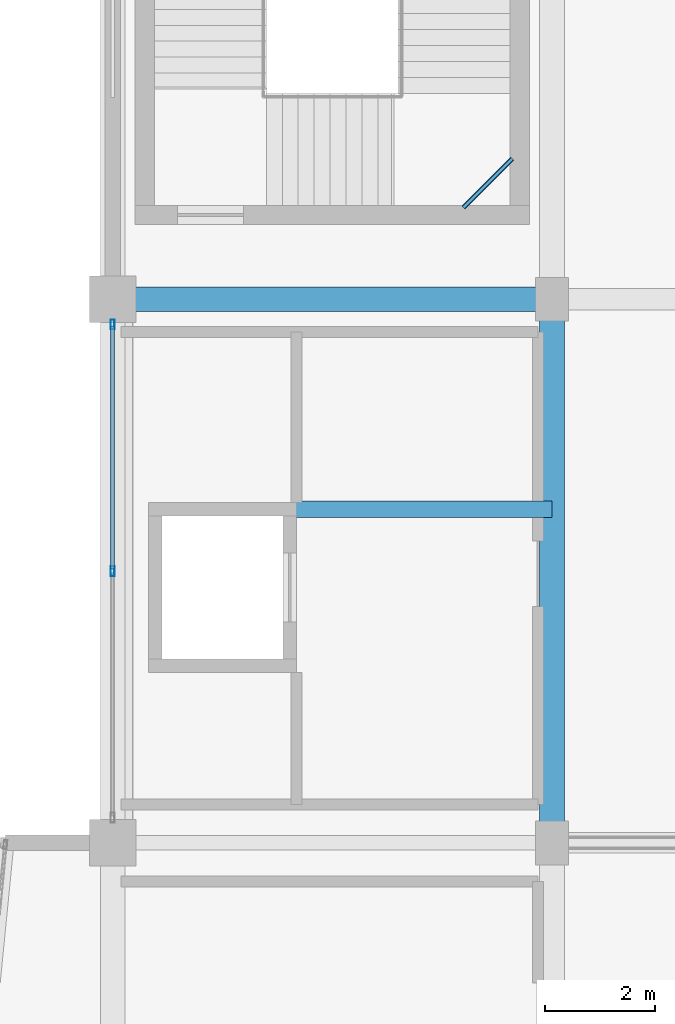
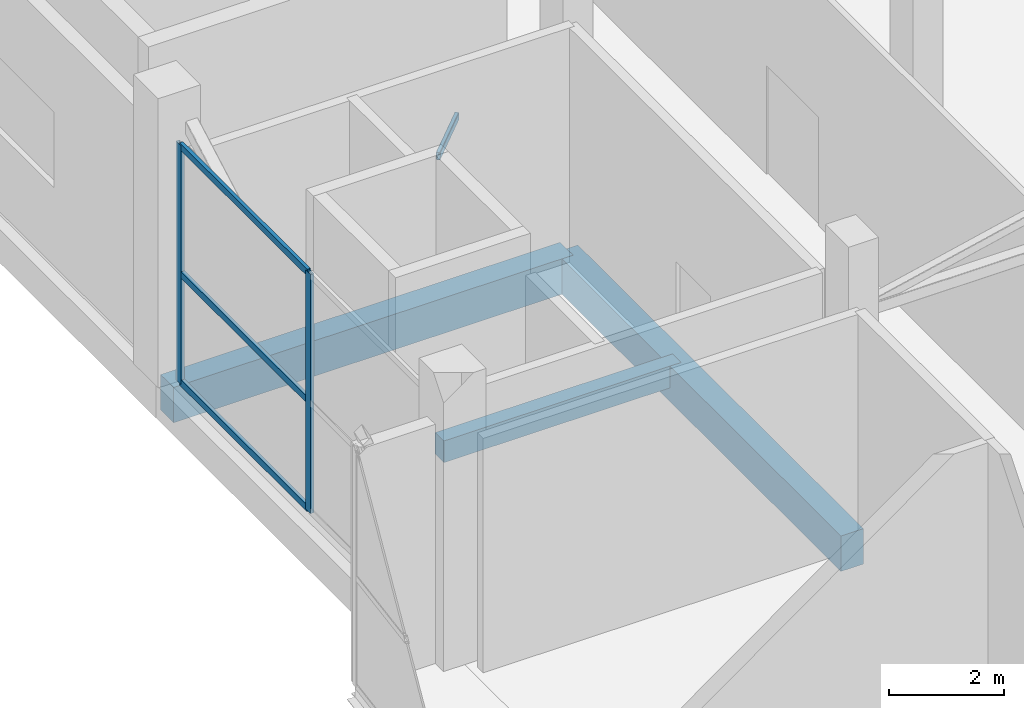
# One storey, part 25 of 58: 5 members, 4 beams, 1 element without a shape of its own.
"""IFC4 building model written with IfcOpenShell, lengths in metres."""

import ifcopenshell
import ifcopenshell.guid

model = None  # the IFC model being written
_history = None  # IfcOwnerHistory: only IFC2X3 demands one
_inside = {}  # id of a spatial element -> (the spatial element, [elements in it])
_under = {}  # id of a project, library or spatial element -> (it, [spatial elements below it])
_declared = {}  # id of a project -> (the project, [libraries it declares])
_typed = {}  # id of a type object -> (the type object, [elements of that type])
_made_of = {}  # id of a material, layer set ... -> (it, [elements and type objects made of it])


def new_model(schema):
    """Start an empty IFC model of exactly this schema.

    Asked for "IFC4X3", IfcOpenShell would pick the latest addendum, in which some entities
    have other attributes; the version numbers below select the first issue.
    IFC2X3 requires an IfcOwnerHistory on every rooted entity: one is made here for all.
    """
    global model, _history
    if schema == "IFC4X3":
        model = ifcopenshell.file(schema_version=(4, 3, 0, 0))
    else:
        model = ifcopenshell.file(schema=schema)
    _inside.clear()
    _under.clear()
    _declared.clear()
    _typed.clear()
    _made_of.clear()
    _history = None
    if model.schema == "IFC2X3":
        org = make("IfcOrganization", Name="unknown")
        user = make(
            "IfcPersonAndOrganization",
            ThePerson=make("IfcPerson", FamilyName="unknown"),
            TheOrganization=org,
        )
        app = make(
            "IfcApplication",
            ApplicationDeveloper=org,
            Version="unknown",
            ApplicationFullName="unknown",
            ApplicationIdentifier="unknown",
        )
        _history = make(
            "IfcOwnerHistory",
            OwningUser=user,
            OwningApplication=app,
            ChangeAction="ADDED",
            CreationDate=0,
        )
    return model


def make(cls, **values):
    """One entity of the class cls with the attributes given. An attribute that is None is left unset."""
    return model.create_entity(
        cls, **{name: value for name, value in values.items() if value is not None}
    )


def rooted(cls, **values):
    """An entity with a GlobalId (a new one), such as an element, a storey or a relation."""
    return make(cls, GlobalId=ifcopenshell.guid.new(), OwnerHistory=_history, **values)


def si_unit(unit_type, name, prefix=None):
    """IfcSIUnit, for example si_unit("LENGTHUNIT", "METRE", prefix="MILLI")."""
    return make("IfcSIUnit", UnitType=unit_type, Prefix=prefix, Name=name)


def assignment(units):
    """IfcUnitAssignment: the units of a project."""
    return None if units is None else make("IfcUnitAssignment", Units=units)


def point(xyz):
    """IfcCartesianPoint."""
    return None if xyz is None else make("IfcCartesianPoint", Coordinates=xyz)


def direction(xyz):
    """IfcDirection."""
    return None if xyz is None else make("IfcDirection", DirectionRatios=xyz)


def frame(location, z_axis=None, x_axis=None):
    """IfcAxis2Placement3D, a coordinate frame: its origin and axes. An axis left out is left unset."""
    return make(
        "IfcAxis2Placement3D",
        Location=point(location),
        Axis=direction(z_axis),
        RefDirection=direction(x_axis),
    )


def frame_2d(location, x_axis=None):
    """IfcAxis2Placement2D, a coordinate frame in the plane: its origin and x axis."""
    return make(
        "IfcAxis2Placement2D", Location=point(location), RefDirection=direction(x_axis)
    )


def origin():
    """The frame at (0, 0, 0) with its axes left unset."""
    return frame((0.0, 0.0, 0.0))


def origin_2d():
    """The frame at (0, 0) in the plane with its x axis left unset."""
    return frame_2d((0.0, 0.0))


def place(relative_to, where):
    """IfcLocalPlacement: puts the frame where relative to a parent placement (None: the world)."""
    return make(
        "IfcLocalPlacement", PlacementRelTo=relative_to, RelativePlacement=where
    )


def context(
    kind, dimensions, precision=None, world=None, true_north=None, identifier=None
):
    """IfcGeometricRepresentationContext, for example the 3D "Model" context."""
    return make(
        "IfcGeometricRepresentationContext",
        ContextIdentifier=identifier,
        ContextType=kind,
        CoordinateSpaceDimension=dimensions,
        Precision=precision,
        WorldCoordinateSystem=world,
        TrueNorth=true_north,
    )


def subcontext(parent, identifier, kind, view, scale=None):
    """IfcGeometricRepresentationSubContext, for example "Body" below "Model"."""
    return make(
        "IfcGeometricRepresentationSubContext",
        ContextIdentifier=identifier,
        ContextType=kind,
        ParentContext=parent,
        TargetScale=scale,
        TargetView=view,
    )


def project(units=None, contexts=None):
    """IfcProject with its units and contexts."""
    return rooted(
        "IfcProject",
        Name="project",
        RepresentationContexts=contexts,
        UnitsInContext=assignment(units),
    )


def spatial(cls, under=None, at=None, **own):
    """A site, building, storey or space (cls), placed at a placement, below another one or the project."""
    s = rooted(cls, ObjectPlacement=at, **own)
    if under is not None:
        _under.setdefault(under.id(), (under, []))[1].append(s)
    return s


def profile(cls, at=None, kind="AREA", **sizes):
    """A parametric profile (cls). Its sizes go by their IFC names, for example OverallWidth=200.0."""
    return make(cls, ProfileType=kind, Position=at, **sizes)


def rectangle(**sizes):
    """IfcRectangleProfileDef."""
    return profile("IfcRectangleProfileDef", **sizes)


def hollow_rectangle(**sizes):
    """IfcRectangleHollowProfileDef."""
    return profile("IfcRectangleHollowProfileDef", **sizes)


def extrude(swept, where, along, depth):
    """IfcExtrudedAreaSolid: the profile swept, set in the frame where, extruded along a direction by depth."""
    return make(
        "IfcExtrudedAreaSolid",
        SweptArea=swept,
        Position=where,
        ExtrudedDirection=direction(along),
        Depth=depth,
    )


def shape(context_of_items, identifier, shape_type, items):
    """IfcShapeRepresentation: the items that make up one representation, for example the "Body"."""
    return make(
        "IfcShapeRepresentation",
        ContextOfItems=context_of_items,
        RepresentationIdentifier=identifier,
        RepresentationType=shape_type,
        Items=items,
    )


def material(Name=None, Category=None):
    """IfcMaterial."""
    return make("IfcMaterial", Name=Name, Category=Category)


def layer(
    of_material, thickness, ventilated=None, Name=None, Category=None, Priority=None
):
    """IfcMaterialLayer: one layer of a wall or slab, of a material (None: an air gap)."""
    return make(
        "IfcMaterialLayer",
        Material=of_material,
        LayerThickness=thickness,
        IsVentilated=ventilated,
        Name=Name,
        Category=Category,
        Priority=Priority,
    )


def layer_set(layers, Name=None):
    """IfcMaterialLayerSet."""
    return make("IfcMaterialLayerSet", MaterialLayers=layers, LayerSetName=Name)


def material_profile(
    of_material, cross_section, Name=None, Category=None, Priority=None
):
    """IfcMaterialProfile: a cross section and its material."""
    return make(
        "IfcMaterialProfile",
        Name=Name,
        Material=of_material,
        Profile=cross_section,
        Priority=Priority,
        Category=Category,
    )


def profile_set(profiles, Name=None, composite=None):
    """IfcMaterialProfileSet."""
    return make(
        "IfcMaterialProfileSet",
        Name=Name,
        MaterialProfiles=profiles,
        CompositeProfile=composite,
    )


def made_of(thing, what):
    """Note that an element or type object is made of a material, layer set ...; save() writes the relation."""
    if what is not None:
        _made_of.setdefault(what.id(), (what, []))[1].append(thing)
    return thing


def type_object(cls, material=None, **own):
    """A type object (cls), such as IfcWallType, which elements share."""
    return made_of(rooted(cls, **own), material)


def element(
    cls,
    number,
    at=None,
    inside=None,
    cuts=None,
    type_object=None,
    material=None,
    context=None,
    identifier="Body",
    shape_type=None,
    held_by="IfcProductDefinitionShape",
    body=None,
    shapes=None,
    **own,
):
    """One element of the class cls, such as IfcWall. Its Tag is "e" and its number.

    at: its placement. inside: the storey or other place that contains it. cuts: it is an
    opening in that element (IfcRelVoidsElement). A single representation is given by context,
    identifier, shape_type and body (its items); several are given by shapes. held_by: the class
    of the entity that holds the representations. save() writes the other relations.
    """
    e = rooted(cls, Tag="e%d" % number, ObjectPlacement=at, **own)
    if body is not None:
        shapes = [shape(context, identifier, shape_type, body)]
    if shapes is not None:
        e.Representation = make(held_by, Representations=shapes)
    if inside is not None:
        _inside.setdefault(inside.id(), (inside, []))[1].append(e)
    if cuts is not None:
        rooted(
            "IfcRelVoidsElement", RelatingBuildingElement=cuts, RelatedOpeningElement=e
        )
    if type_object is not None:
        _typed.setdefault(type_object.id(), (type_object, []))[1].append(e)
    return made_of(e, material)


def aggregate(whole, parts):
    """IfcRelAggregates: a whole, such as a stair, and the parts it consists of."""
    return rooted("IfcRelAggregates", RelatingObject=whole, RelatedObjects=parts)


def save(model, path):
    """Write the relations noted so far, then the file.

    IfcRelAggregates (storeys below a building ...), IfcRelContainedInSpatialStructure (elements
    in a storey), IfcRelDefinesByType, IfcRelAssociatesMaterial and IfcRelDeclares: one each for
    every whole, place, type object, material and project.
    """
    for whole, parts in _under.values():
        aggregate(whole, parts)
    for where, things in _inside.values():
        rooted(
            "IfcRelContainedInSpatialStructure",
            RelatedElements=things,
            RelatingStructure=where,
        )
    for kind, things in _typed.values():
        rooted("IfcRelDefinesByType", RelatedObjects=things, RelatingType=kind)
    for what, things in _made_of.values():
        rooted("IfcRelAssociatesMaterial", RelatedObjects=things, RelatingMaterial=what)
    for by, libraries in _declared.values():
        rooted("IfcRelDeclares", RelatingContext=by, RelatedDefinitions=libraries)
    model.write(path)


model = new_model("IFC4")

# Units and contexts
model_context = context("Model", 3, precision=1e-05, world=origin(), true_north=direction((0.0, 1.0)))
body_context = subcontext(model_context, "Body", "Model", "MODEL_VIEW")
ifc_project = project(units=[si_unit("LENGTHUNIT", "METRE"), si_unit("AREAUNIT", "SQUARE_METRE"), si_unit("VOLUMEUNIT", "CUBIC_METRE"), si_unit("PLANEANGLEUNIT", "RADIAN"), si_unit("MASSUNIT", "GRAM", prefix="KILO")], contexts=[model_context])

# Site, building, storey
site_placement = place(None, origin())
site = spatial("IfcSite", under=ifc_project, at=site_placement, CompositionType="ELEMENT")
building_placement = place(site_placement, origin())
building = spatial("IfcBuilding", under=site, at=building_placement, Name="Sillaruma Civic Art Gallery", CompositionType="ELEMENT")
storey_placement = place(building_placement, frame((0.0, 0.0, 22.43994140625)))
storey = spatial("IfcBuildingStorey", under=building, at=storey_placement, Name="L04", CompositionType="ELEMENT", Elevation=22.43994140625)

# Beams
ifc_material_1 = material(Name="Concrete H40 (40 MPa)", Category="concrete")
ifc_material_profile_1 = material_profile(ifc_material_1, rectangle(XDim=0.449951171875, YDim=0.75, at=origin_2d()), Name="RCB450x750")
ifc_profile_set_1 = profile_set([ifc_material_profile_1], Name="Concrete H40 (40 MPa)")
beam_type_1 = type_object("IfcBeamType", Name="BM-BEAM-RCB450x750", PredefinedType="BEAM", material=ifc_profile_set_1)
beam_1_placement = place(storey_placement, frame((62.0, 79.199951171875, -0.635009765625), z_axis=(1.0, 0.0, 0.0), x_axis=(0.0, 1.0, 0.0)))
element("IfcBeam", 1, at=beam_1_placement, inside=storey, type_object=beam_type_1, Name="Beam BM-03 (L03:9:F-G)", PredefinedType="BEAM", context=body_context, shape_type="SweptSolid", body=[
    extrude(rectangle(XDim=0.449951171875, YDim=0.75, at=origin_2d()), origin(), (0.0, 0.0, 1.0), 8.0),
])
beam_2_placement = place(storey_placement, frame((70.0, 69.300048828125, -0.635009765625), z_axis=(0.0, 1.0, 0.0), x_axis=(-1.0, 0.0, 0.0)))
element("IfcBeam", 2, at=beam_2_placement, inside=storey, type_object=beam_type_1, Name="Beam BM-03 (L03:G:8-9)", PredefinedType="BEAM", context=body_context, shape_type="SweptSolid", body=[
    extrude(rectangle(XDim=0.449951171875, YDim=0.75, at=origin_2d()), origin(), (0.0, 0.0, 1.0), 9.89990234375),
])
ifc_material_2 = material(Name="Concrete H35 (35 MPa)", Category="concrete")
ifc_material_profile_2 = material_profile(ifc_material_2, rectangle(XDim=0.300048828125, YDim=0.4599609375, at=origin_2d()), Name="RCB300x460")
ifc_profile_set_2 = profile_set([ifc_material_profile_2], Name="Concrete H35 (35 MPa)")
beam_type_2 = type_object("IfcBeamType", Name="BM-LINTEL-RCB300x460", PredefinedType="LINTEL", material=ifc_profile_set_2)
beam_3_placement = place(storey_placement, frame((65.25, 75.3798828125, -0.489990234375), z_axis=(1.0, 0.0, 0.0), x_axis=(0.0, 1.0, 0.0)))
element("IfcBeam", 3, at=beam_3_placement, inside=storey, type_object=beam_type_2, Name="Core Portal Coupling Lintel BL-01 (L03:FFL)", PredefinedType="LINTEL", context=body_context, shape_type="SweptSolid", body=[
    extrude(rectangle(XDim=0.300048828125, YDim=0.4599609375, at=origin_2d()), origin(), (0.0, 0.0, 1.0), 4.75),
])
ifc_material_3 = material(Name="Structural Steel ASTM A500 Gr.C", Category="steel")
ifc_material_profile_3 = material_profile(ifc_material_3, hollow_rectangle(XDim=0.080078125, YDim=0.159912109375, WallThickness=0.008056640625, InnerFilletRadius=0.008056640625, OuterFilletRadius=0.01611328125, at=origin_2d()), Name="HSS160x80x8")
ifc_profile_set_3 = profile_set([ifc_material_profile_3], Name="Structural Steel ASTM A500 Gr.C")
beam_type_3 = type_object("IfcBeamType", Name="BM-LND-HSS160", PredefinedType="BEAM", material=ifc_profile_set_3)
beam_4_placement = place(storey_placement, frame((68.389892578125, 80.8701171875, 1.25), z_axis=(0.707203758046, 0.707009791025, 0.0), x_axis=(-0.707009791025, 0.707203758046, 0.0)))
element("IfcBeam", 4, at=beam_4_placement, inside=storey, type_object=beam_type_3, Name="Stair Corner Landing Trimmer Beam (ST-02-L04-1)", PredefinedType="BEAM", context=body_context, shape_type="SweptSolid", body=[
    extrude(hollow_rectangle(XDim=0.080078125, YDim=0.159912109375, WallThickness=0.008056640625, InnerFilletRadius=0.008056640625, OuterFilletRadius=0.01611328125, at=origin_2d()), origin(), (0.0, 0.0, 1.0), 1.2587890625),
])

# Curtain wall, members
ifc_material_4 = material(Name="Thermally Broken Extruded Aluminium 6063-T6", Category="aluminium")
ifc_layer = layer(ifc_material_4, 0.179931640625, Name="Thermally Broken Extruded Aluminium 6063-T6")
ifc_layer_set = layer_set([ifc_layer], Name="Thermally Broken Extruded Aluminium 6063-T6")
curtain_wall_type = type_object("IfcCurtainWallType", Name="CW-UNI-22", PredefinedType="NOTDEFINED", material=ifc_layer_set)
curtain_wall_placement = place(storey_placement, origin())
curtain_wall = element("IfcCurtainWall", 5, at=curtain_wall_placement, inside=storey, type_object=curtain_wall_type, Name="Unitised Curtain Wall CW-22 (CW-L04-W-6)", PredefinedType="NOTDEFINED")
ifc_material_profile_4 = material_profile(ifc_material_4, hollow_rectangle(XDim=0.070068359375, YDim=0.179931640625, WallThickness=0.00390625, at=origin_2d()), Name="CWM70x180")
ifc_profile_set_4 = profile_set([ifc_material_profile_4], Name="Thermally Broken Extruded Aluminium 6063-T6")
member_type_1 = type_object("IfcMemberType", Name="MEM-MUL-CWM70x180", PredefinedType="MULLION", material=ifc_profile_set_4)
member_1_placement = place(storey_placement, frame((62.0, 74.25, 0.0), z_axis=(0.0, 0.0, 1.0), x_axis=(-1.0, 0.0, 0.0)))
member_1 = element("IfcMember", 6, at=member_1_placement, type_object=member_type_1, Name="CW-22 mullion 2", PredefinedType="MULLION", context=body_context, shape_type="SweptSolid", body=[
    extrude(hollow_rectangle(XDim=0.070068359375, YDim=0.179931640625, WallThickness=0.00390625, at=origin_2d()), origin(), (0.0, 0.0, 1.0), 5.06005859375),
])
member_2_placement = place(storey_placement, frame((62.0, 78.739990234375, 0.0), z_axis=(0.0, 0.0, 1.0), x_axis=(-1.0, 0.0, 0.0)))
member_2 = element("IfcMember", 7, at=member_2_placement, type_object=member_type_1, Name="CW-22 mullion 3", PredefinedType="MULLION", context=body_context, shape_type="SweptSolid", body=[
    extrude(hollow_rectangle(XDim=0.070068359375, YDim=0.179931640625, WallThickness=0.00390625, at=origin_2d()), origin(), (0.0, 0.0, 1.0), 5.06005859375),
])
ifc_material_profile_5 = material_profile(ifc_material_4, hollow_rectangle(XDim=0.070068359375, YDim=0.139892578125, WallThickness=0.00390625, at=origin_2d()), Name="CWT70x140")
ifc_profile_set_5 = profile_set([ifc_material_profile_5], Name="Thermally Broken Extruded Aluminium 6063-T6")
member_type_2 = type_object("IfcMemberType", Name="MEM-TRN-CWT70x140", PredefinedType="USERDEFINED", material=ifc_profile_set_5)
member_3_placement = place(storey_placement, frame((62.0, 74.284912109375, 0.03515625), z_axis=(0.0, 1.0, 0.0), x_axis=(-1.0, 0.0, 0.0)))
member_3 = element("IfcMember", 8, at=member_3_placement, type_object=member_type_2, Name="CW-22 transom 2.1", ObjectType="TRANSOM", PredefinedType="USERDEFINED", context=body_context, shape_type="SweptSolid", body=[
    extrude(hollow_rectangle(XDim=0.070068359375, YDim=0.139892578125, WallThickness=0.00390625, at=origin_2d()), origin(), (0.0, 0.0, 1.0), 4.420166015625),
])
member_4_placement = place(storey_placement, frame((62.0, 74.284912109375, 2.32763671875), z_axis=(0.0, 1.0, 0.0), x_axis=(-1.0, 0.0, 0.0)))
member_4 = element("IfcMember", 9, at=member_4_placement, type_object=member_type_2, Name="CW-22 transom 2.2", ObjectType="TRANSOM", PredefinedType="USERDEFINED", context=body_context, shape_type="SweptSolid", body=[
    extrude(hollow_rectangle(XDim=0.070068359375, YDim=0.139892578125, WallThickness=0.00390625, at=origin_2d()), origin(), (0.0, 0.0, 1.0), 4.420166015625),
])
member_5_placement = place(storey_placement, frame((62.0, 74.284912109375, 5.025146484375), z_axis=(0.0, 1.0, 0.0), x_axis=(-1.0, 0.0, 0.0)))
member_5 = element("IfcMember", 10, at=member_5_placement, type_object=member_type_2, Name="CW-22 transom 2.3", ObjectType="TRANSOM", PredefinedType="USERDEFINED", context=body_context, shape_type="SweptSolid", body=[
    extrude(hollow_rectangle(XDim=0.070068359375, YDim=0.139892578125, WallThickness=0.00390625, at=origin_2d()), origin(), (0.0, 0.0, 1.0), 4.420166015625),
])
aggregate(curtain_wall, [member_1, member_2, member_3, member_4, member_5])

save(model, "model.ifc")
